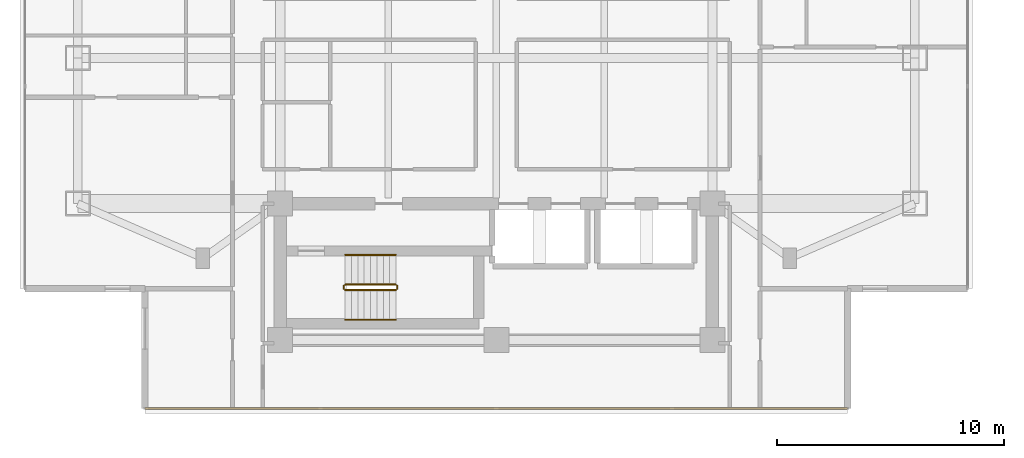
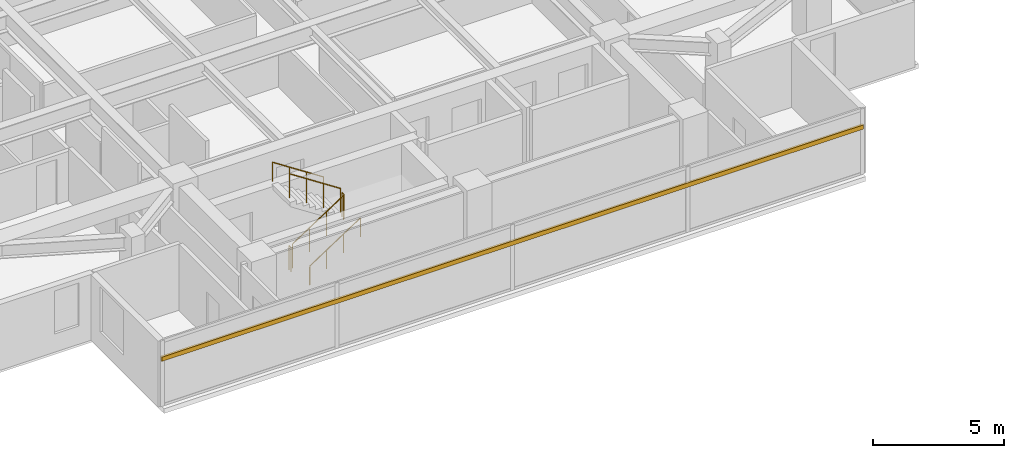
# One storey, part 21 of 26: 6 railings, 1 shading device.
"""IFC4 building model written with IfcOpenShell, lengths in metres."""

import ifcopenshell
import ifcopenshell.guid

model = None  # the IFC model being written
_history = None  # IfcOwnerHistory: only IFC2X3 demands one
_inside = {}  # id of a spatial element -> (the spatial element, [elements in it])
_under = {}  # id of a project, library or spatial element -> (it, [spatial elements below it])
_declared = {}  # id of a project -> (the project, [libraries it declares])
_typed = {}  # id of a type object -> (the type object, [elements of that type])
_made_of = {}  # id of a material, layer set ... -> (it, [elements and type objects made of it])


def new_model(schema):
    """Start an empty IFC model of exactly this schema.

    Asked for "IFC4X3", IfcOpenShell would pick the latest addendum, in which some entities
    have other attributes; the version numbers below select the first issue.
    IFC2X3 requires an IfcOwnerHistory on every rooted entity: one is made here for all.
    """
    global model, _history
    if schema == "IFC4X3":
        model = ifcopenshell.file(schema_version=(4, 3, 0, 0))
    else:
        model = ifcopenshell.file(schema=schema)
    _inside.clear()
    _under.clear()
    _declared.clear()
    _typed.clear()
    _made_of.clear()
    _history = None
    if model.schema == "IFC2X3":
        org = make("IfcOrganization", Name="unknown")
        user = make(
            "IfcPersonAndOrganization",
            ThePerson=make("IfcPerson", FamilyName="unknown"),
            TheOrganization=org,
        )
        app = make(
            "IfcApplication",
            ApplicationDeveloper=org,
            Version="unknown",
            ApplicationFullName="unknown",
            ApplicationIdentifier="unknown",
        )
        _history = make(
            "IfcOwnerHistory",
            OwningUser=user,
            OwningApplication=app,
            ChangeAction="ADDED",
            CreationDate=0,
        )
    return model


def make(cls, **values):
    """One entity of the class cls with the attributes given. An attribute that is None is left unset."""
    return model.create_entity(
        cls, **{name: value for name, value in values.items() if value is not None}
    )


def rooted(cls, **values):
    """An entity with a GlobalId (a new one), such as an element, a storey or a relation."""
    return make(cls, GlobalId=ifcopenshell.guid.new(), OwnerHistory=_history, **values)


def si_unit(unit_type, name, prefix=None):
    """IfcSIUnit, for example si_unit("LENGTHUNIT", "METRE", prefix="MILLI")."""
    return make("IfcSIUnit", UnitType=unit_type, Prefix=prefix, Name=name)


def assignment(units):
    """IfcUnitAssignment: the units of a project."""
    return None if units is None else make("IfcUnitAssignment", Units=units)


def point(xyz):
    """IfcCartesianPoint."""
    return None if xyz is None else make("IfcCartesianPoint", Coordinates=xyz)


def direction(xyz):
    """IfcDirection."""
    return None if xyz is None else make("IfcDirection", DirectionRatios=xyz)


def frame(location, z_axis=None, x_axis=None):
    """IfcAxis2Placement3D, a coordinate frame: its origin and axes. An axis left out is left unset."""
    return make(
        "IfcAxis2Placement3D",
        Location=point(location),
        Axis=direction(z_axis),
        RefDirection=direction(x_axis),
    )


def frame_2d(location, x_axis=None):
    """IfcAxis2Placement2D, a coordinate frame in the plane: its origin and x axis."""
    return make(
        "IfcAxis2Placement2D", Location=point(location), RefDirection=direction(x_axis)
    )


def origin():
    """The frame at (0, 0, 0) with its axes left unset."""
    return frame((0.0, 0.0, 0.0))


def origin_2d():
    """The frame at (0, 0) in the plane with its x axis left unset."""
    return frame_2d((0.0, 0.0))


def place(relative_to, where):
    """IfcLocalPlacement: puts the frame where relative to a parent placement (None: the world)."""
    return make(
        "IfcLocalPlacement", PlacementRelTo=relative_to, RelativePlacement=where
    )


def context(
    kind, dimensions, precision=None, world=None, true_north=None, identifier=None
):
    """IfcGeometricRepresentationContext, for example the 3D "Model" context."""
    return make(
        "IfcGeometricRepresentationContext",
        ContextIdentifier=identifier,
        ContextType=kind,
        CoordinateSpaceDimension=dimensions,
        Precision=precision,
        WorldCoordinateSystem=world,
        TrueNorth=true_north,
    )


def subcontext(parent, identifier, kind, view, scale=None):
    """IfcGeometricRepresentationSubContext, for example "Body" below "Model"."""
    return make(
        "IfcGeometricRepresentationSubContext",
        ContextIdentifier=identifier,
        ContextType=kind,
        ParentContext=parent,
        TargetScale=scale,
        TargetView=view,
    )


def project(units=None, contexts=None):
    """IfcProject with its units and contexts."""
    return rooted(
        "IfcProject",
        Name="project",
        RepresentationContexts=contexts,
        UnitsInContext=assignment(units),
    )


def spatial(cls, under=None, at=None, **own):
    """A site, building, storey or space (cls), placed at a placement, below another one or the project."""
    s = rooted(cls, ObjectPlacement=at, **own)
    if under is not None:
        _under.setdefault(under.id(), (under, []))[1].append(s)
    return s


def profile(cls, at=None, kind="AREA", **sizes):
    """A parametric profile (cls). Its sizes go by their IFC names, for example OverallWidth=200.0."""
    return make(cls, ProfileType=kind, Position=at, **sizes)


def rectangle(**sizes):
    """IfcRectangleProfileDef."""
    return profile("IfcRectangleProfileDef", **sizes)


def circle(**sizes):
    """IfcCircleProfileDef."""
    return profile("IfcCircleProfileDef", **sizes)


def extrude(swept, where, along, depth):
    """IfcExtrudedAreaSolid: the profile swept, set in the frame where, extruded along a direction by depth."""
    return make(
        "IfcExtrudedAreaSolid",
        SweptArea=swept,
        Position=where,
        ExtrudedDirection=direction(along),
        Depth=depth,
    )


def shape(context_of_items, identifier, shape_type, items):
    """IfcShapeRepresentation: the items that make up one representation, for example the "Body"."""
    return make(
        "IfcShapeRepresentation",
        ContextOfItems=context_of_items,
        RepresentationIdentifier=identifier,
        RepresentationType=shape_type,
        Items=items,
    )


def material(Name=None, Category=None):
    """IfcMaterial."""
    return make("IfcMaterial", Name=Name, Category=Category)


def material_profile(
    of_material, cross_section, Name=None, Category=None, Priority=None
):
    """IfcMaterialProfile: a cross section and its material."""
    return make(
        "IfcMaterialProfile",
        Name=Name,
        Material=of_material,
        Profile=cross_section,
        Priority=Priority,
        Category=Category,
    )


def profile_set(profiles, Name=None, composite=None):
    """IfcMaterialProfileSet."""
    return make(
        "IfcMaterialProfileSet",
        Name=Name,
        MaterialProfiles=profiles,
        CompositeProfile=composite,
    )


def made_of(thing, what):
    """Note that an element or type object is made of a material, layer set ...; save() writes the relation."""
    if what is not None:
        _made_of.setdefault(what.id(), (what, []))[1].append(thing)
    return thing


def type_object(cls, material=None, **own):
    """A type object (cls), such as IfcWallType, which elements share."""
    return made_of(rooted(cls, **own), material)


def element(
    cls,
    number,
    at=None,
    inside=None,
    cuts=None,
    type_object=None,
    material=None,
    context=None,
    identifier="Body",
    shape_type=None,
    held_by="IfcProductDefinitionShape",
    body=None,
    shapes=None,
    **own,
):
    """One element of the class cls, such as IfcWall. Its Tag is "e" and its number.

    at: its placement. inside: the storey or other place that contains it. cuts: it is an
    opening in that element (IfcRelVoidsElement). A single representation is given by context,
    identifier, shape_type and body (its items); several are given by shapes. held_by: the class
    of the entity that holds the representations. save() writes the other relations.
    """
    e = rooted(cls, Tag="e%d" % number, ObjectPlacement=at, **own)
    if body is not None:
        shapes = [shape(context, identifier, shape_type, body)]
    if shapes is not None:
        e.Representation = make(held_by, Representations=shapes)
    if inside is not None:
        _inside.setdefault(inside.id(), (inside, []))[1].append(e)
    if cuts is not None:
        rooted(
            "IfcRelVoidsElement", RelatingBuildingElement=cuts, RelatedOpeningElement=e
        )
    if type_object is not None:
        _typed.setdefault(type_object.id(), (type_object, []))[1].append(e)
    return made_of(e, material)


def aggregate(whole, parts):
    """IfcRelAggregates: a whole, such as a stair, and the parts it consists of."""
    return rooted("IfcRelAggregates", RelatingObject=whole, RelatedObjects=parts)


def save(model, path):
    """Write the relations noted so far, then the file.

    IfcRelAggregates (storeys below a building ...), IfcRelContainedInSpatialStructure (elements
    in a storey), IfcRelDefinesByType, IfcRelAssociatesMaterial and IfcRelDeclares: one each for
    every whole, place, type object, material and project.
    """
    for whole, parts in _under.values():
        aggregate(whole, parts)
    for where, things in _inside.values():
        rooted(
            "IfcRelContainedInSpatialStructure",
            RelatedElements=things,
            RelatingStructure=where,
        )
    for kind, things in _typed.values():
        rooted("IfcRelDefinesByType", RelatedObjects=things, RelatingType=kind)
    for what, things in _made_of.values():
        rooted("IfcRelAssociatesMaterial", RelatedObjects=things, RelatingMaterial=what)
    for by, libraries in _declared.values():
        rooted("IfcRelDeclares", RelatingContext=by, RelatedDefinitions=libraries)
    model.write(path)


model = new_model("IFC4")

# Units and contexts
model_context = context("Model", 3, precision=1e-05, world=origin(), true_north=direction((0.0, 1.0)))
body_context = subcontext(model_context, "Body", "Model", "MODEL_VIEW")
ifc_project = project(units=[si_unit("LENGTHUNIT", "METRE"), si_unit("AREAUNIT", "SQUARE_METRE"), si_unit("VOLUMEUNIT", "CUBIC_METRE"), si_unit("PLANEANGLEUNIT", "RADIAN"), si_unit("MASSUNIT", "GRAM", prefix="KILO")], contexts=[model_context])

# Site, building, storey
site_placement = place(None, origin())
site = spatial("IfcSite", under=ifc_project, at=site_placement, CompositionType="ELEMENT")
building_placement = place(site_placement, origin())
building = spatial("IfcBuilding", under=site, at=building_placement, Name="Mirazonda Arch Towers", CompositionType="ELEMENT")
storey_placement = place(building_placement, frame((0.0, 0.0, 128.0)))
storey = spatial("IfcBuildingStorey", under=building, at=storey_placement, Name="L36", CompositionType="ELEMENT", Elevation=128.0)

# Shading device
ifc_material_1 = material(Name="Kiln-Fired Architectural Terracotta", Category="masonry")
ifc_material_profile = material_profile(ifc_material_1, rectangle(XDim=0.10009765625, YDim=0.199951171875, at=origin_2d()), Name="TERRA-BAG-100x200")
ifc_profile_set = profile_set([ifc_material_profile], Name="Kiln-Fired Architectural Terracotta")
shading_device_type = type_object("IfcShadingDeviceType", Name="BAGUETTE-2", PredefinedType="USERDEFINED", material=ifc_profile_set)
shading_device_placement = place(storey_placement, frame((35.949951171875, 9.385986328125, 2.203125), z_axis=(-1.0, 0.0, 0.0), x_axis=(0.0, -1.0, 0.0)))
element("IfcShadingDevice", 1, at=shading_device_placement, inside=storey, type_object=shading_device_type, Name="L36 Glazed Terracotta Sun-Screen Baguette CW-L36-T1-S", ObjectType="BAGUETTE", PredefinedType="USERDEFINED", context=body_context, shape_type="SweptSolid", body=[
    extrude(rectangle(XDim=0.10009765625, YDim=0.199951171875, at=origin_2d()), origin(), (0.0, 0.0, 1.0), 30.89990234375),
])

# Railings
ifc_material_2 = material(Name="Architectural Brushed Steel S355", Category="steel")
railing_type_1 = type_object("IfcRailingType", Name="GUARD-STAIR-1120", PredefinedType="GUARDRAIL", material=ifc_material_2)
railing_1_placement = place(storey_placement, frame((13.85009765625, 14.60009765625, 0.183349609375)))
element("IfcRailing", 2, at=railing_1_placement, inside=storey, type_object=railing_type_1, Name="L36 ST-T1S stair guard 1", PredefinedType="GUARDRAIL", context=body_context, shape_type="SweptSolid", body=[
    extrude(circle(Radius=0.02392578125, at=origin_2d()), frame((0.0, 0.0, 1.1259765625), z_axis=(0.836636935527, 0.0, 0.547757827979), x_axis=(0.0, 1.0, 0.0)), (0.0, 0.0, 1.0), 2.677490234375),
    extrude(circle(Radius=0.02099609375, at=origin_2d()), origin(), (0.0, 0.0, 1.0), 1.101806640625),
    extrude(circle(Radius=0.02099609375, at=origin_2d()), frame((0.74658203125, 0.0, 0.48876953125)), (0.0, 0.0, 1.0), 1.101806640625),
    extrude(circle(Radius=0.02099609375, at=origin_2d()), frame((1.493408203125, 0.0, 0.977783203125)), (0.0, 0.0, 1.0), 1.101806640625),
    extrude(circle(Radius=0.02099609375, at=origin_2d()), frame((2.239990234375, 0.0, 1.466552734375)), (0.0, 0.0, 1.0), 1.101806640625),
])
railing_2_placement = place(storey_placement, frame((16.139892578125, 14.64990234375, 1.64990234375)))
element("IfcRailing", 3, at=railing_2_placement, inside=storey, type_object=railing_type_1, Name="L36 ST-T1S stair guard 2", PredefinedType="GUARDRAIL", context=body_context, shape_type="SweptSolid", body=[
    extrude(circle(Radius=0.02392578125, at=origin_2d()), frame((0.0, 0.0, 1.1259765625), z_axis=(0.0, 1.0, 0.0), x_axis=(-1.0, 0.0, 0.0)), (0.0, 0.0, 1.0), 0.14013671875),
    extrude(circle(Radius=0.02099609375, at=origin_2d()), origin(), (0.0, 0.0, 1.0), 1.101806640625),
    extrude(circle(Radius=0.02099609375, at=origin_2d()), frame((0.0, 0.14013671875, 0.0)), (0.0, 0.0, 1.0), 1.101806640625),
])
railing_3_placement = place(storey_placement, frame((16.090087890625, 14.840087890625, 1.833251953125)))
element("IfcRailing", 4, at=railing_3_placement, inside=storey, type_object=railing_type_1, Name="L36 ST-T1S stair guard 3", PredefinedType="GUARDRAIL", context=body_context, shape_type="SweptSolid", body=[
    extrude(circle(Radius=0.02392578125, at=origin_2d()), frame((0.0, 0.0, 1.1259765625), z_axis=(-0.836595146698, 0.0, 0.547821650285), x_axis=(0.0, -1.0, 0.0)), (0.0, 0.0, 1.0), 2.677490234375),
    extrude(circle(Radius=0.02099609375, at=origin_2d()), origin(), (0.0, 0.0, 1.0), 1.101806640625),
    extrude(circle(Radius=0.02099609375, at=origin_2d()), frame((-0.74658203125, 0.0, 0.489013671875)), (0.0, 0.0, 1.0), 1.101806640625),
    extrude(circle(Radius=0.02099609375, at=origin_2d()), frame((-1.493408203125, 0.0, 0.977783203125)), (0.0, 0.0, 1.0), 1.101806640625),
    extrude(circle(Radius=0.02099609375, at=origin_2d()), frame((-2.239990234375, 0.0, 1.466796875)), (0.0, 0.0, 1.0), 1.101806640625),
])
railing_4_placement = place(storey_placement, frame((13.800048828125, 14.64990234375, 0.0)))
element("IfcRailing", 5, at=railing_4_placement, inside=storey, type_object=railing_type_1, Name="L36 ST-T1S stair guard 4", PredefinedType="GUARDRAIL", context=body_context, shape_type="SweptSolid", body=[
    extrude(circle(Radius=0.02392578125, at=origin_2d()), frame((0.0, 0.0, 1.1259765625), z_axis=(0.0, 1.0, 0.0), x_axis=(-1.0, 0.0, 0.0)), (0.0, 0.0, 1.0), 0.14013671875),
    extrude(circle(Radius=0.02099609375, at=origin_2d()), origin(), (0.0, 0.0, 1.0), 1.101806640625),
    extrude(circle(Radius=0.02099609375, at=origin_2d()), frame((0.0, 0.14013671875, 0.0)), (0.0, 0.0, 1.0), 1.101806640625),
])
railing_type_2 = type_object("IfcRailingType", Name="HANDRAIL-915", PredefinedType="HANDRAIL", material=ifc_material_2)
railing_5_placement = place(storey_placement, frame((13.85009765625, 13.300048828125, 0.183349609375)))
element("IfcRailing", 6, at=railing_5_placement, inside=storey, type_object=railing_type_2, Name="L36 ST-T1S stair handrail 1", PredefinedType="HANDRAIL", context=body_context, shape_type="SweptSolid", body=[
    extrude(circle(Radius=0.02392578125, at=origin_2d()), frame((0.0, 0.0, 0.8759765625), z_axis=(0.836636935527, 0.0, 0.547757827979), x_axis=(0.0, 1.0, 0.0)), (0.0, 0.0, 1.0), 2.677490234375),
    extrude(circle(Radius=0.02099609375, at=origin_2d()), origin(), (0.0, 0.0, 1.0), 0.851806640625),
    extrude(circle(Radius=0.02099609375, at=origin_2d()), frame((0.74658203125, 0.0, 0.48876953125)), (0.0, 0.0, 1.0), 0.851806640625),
    extrude(circle(Radius=0.02099609375, at=origin_2d()), frame((1.493408203125, 0.0, 0.977783203125)), (0.0, 0.0, 1.0), 0.851806640625),
    extrude(circle(Radius=0.02099609375, at=origin_2d()), frame((2.239990234375, 0.0, 1.466552734375)), (0.0, 0.0, 1.0), 0.851806640625),
])
railing_6_placement = place(storey_placement, frame((16.090087890625, 16.139892578125, 1.833251953125)))
element("IfcRailing", 7, at=railing_6_placement, inside=storey, type_object=railing_type_2, Name="L36 ST-T1S stair handrail 2", PredefinedType="HANDRAIL", context=body_context, shape_type="SweptSolid", body=[
    extrude(circle(Radius=0.02392578125, at=origin_2d()), frame((0.0, 0.0, 0.8759765625), z_axis=(-0.836595146698, 0.0, 0.547821650285), x_axis=(0.0, -1.0, 0.0)), (0.0, 0.0, 1.0), 2.677490234375),
    extrude(circle(Radius=0.02099609375, at=origin_2d()), origin(), (0.0, 0.0, 1.0), 0.851806640625),
    extrude(circle(Radius=0.02099609375, at=origin_2d()), frame((-0.74658203125, 0.0, 0.489013671875)), (0.0, 0.0, 1.0), 0.851806640625),
    extrude(circle(Radius=0.02099609375, at=origin_2d()), frame((-1.493408203125, 0.0, 0.977783203125)), (0.0, 0.0, 1.0), 0.851806640625),
    extrude(circle(Radius=0.02099609375, at=origin_2d()), frame((-2.239990234375, 0.0, 1.466796875)), (0.0, 0.0, 1.0), 0.851806640625),
])

save(model, "model.ifc")
